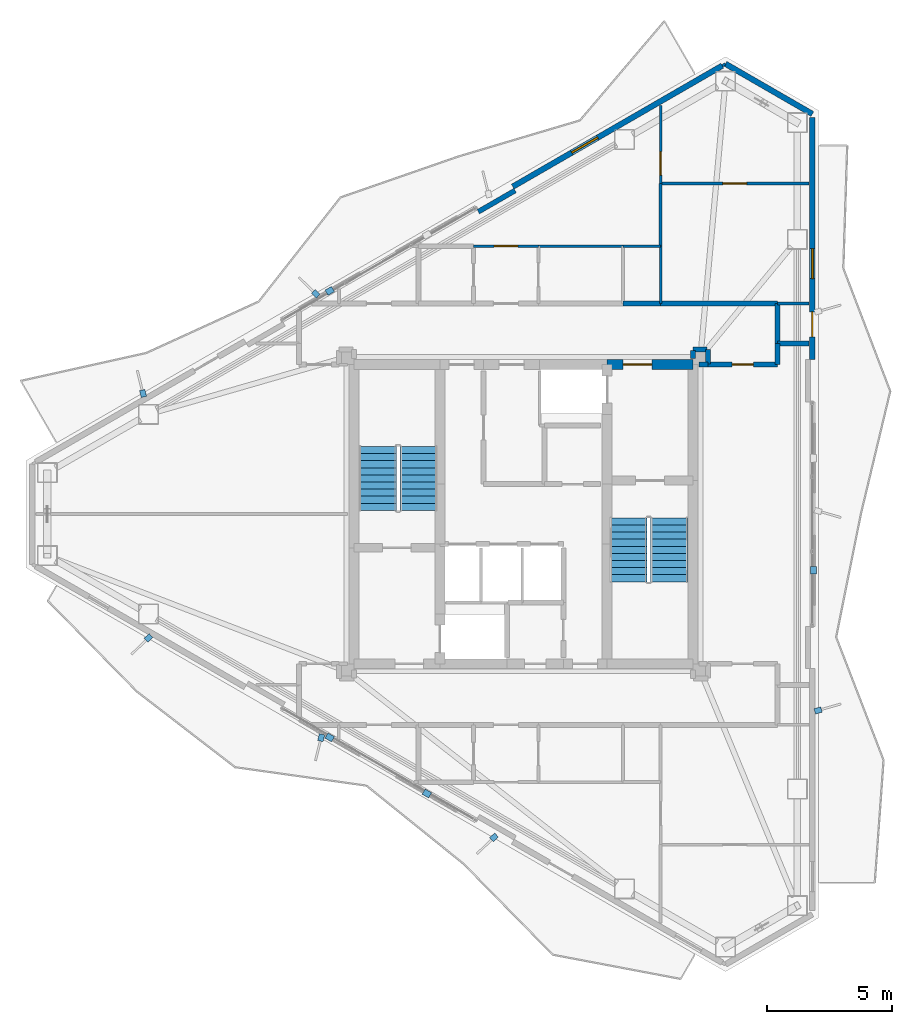
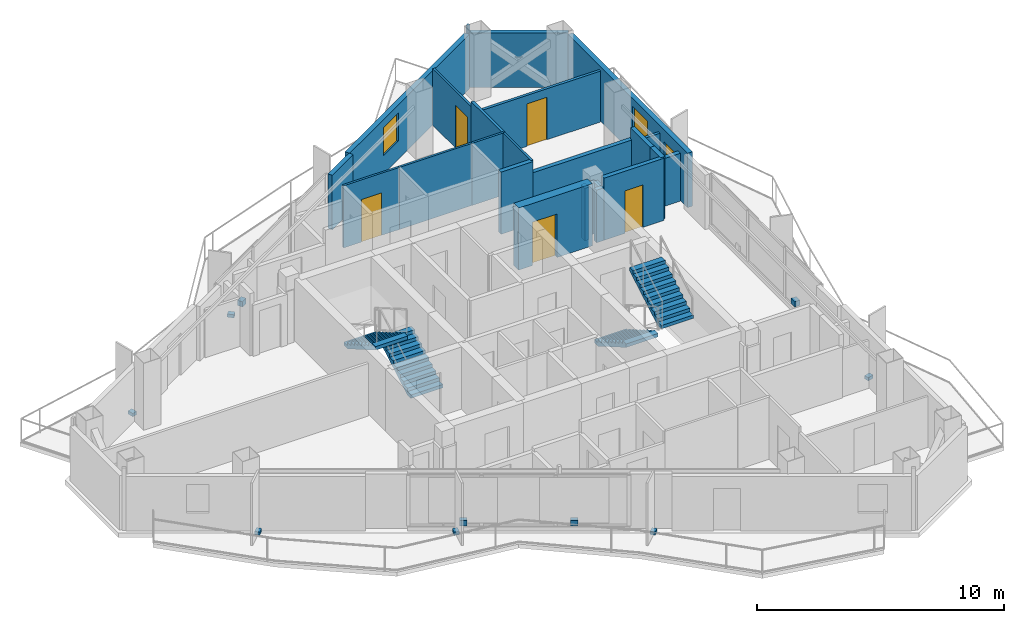
# One storey, part 19 of 22: 24 walls, 10 discrete accessories, 6 doors, 4 stair flights, 2 windows, 8 openings, 2 elements without a shape of their own.
"""IFC4 building model written with IfcOpenShell, lengths in metres."""

import ifcopenshell
import ifcopenshell.guid

model = None  # the IFC model being written
_history = None  # IfcOwnerHistory: only IFC2X3 demands one
_inside = {}  # id of a spatial element -> (the spatial element, [elements in it])
_under = {}  # id of a project, library or spatial element -> (it, [spatial elements below it])
_declared = {}  # id of a project -> (the project, [libraries it declares])
_typed = {}  # id of a type object -> (the type object, [elements of that type])
_made_of = {}  # id of a material, layer set ... -> (it, [elements and type objects made of it])


def new_model(schema):
    """Start an empty IFC model of exactly this schema.

    Asked for "IFC4X3", IfcOpenShell would pick the latest addendum, in which some entities
    have other attributes; the version numbers below select the first issue.
    IFC2X3 requires an IfcOwnerHistory on every rooted entity: one is made here for all.
    """
    global model, _history
    if schema == "IFC4X3":
        model = ifcopenshell.file(schema_version=(4, 3, 0, 0))
    else:
        model = ifcopenshell.file(schema=schema)
    _inside.clear()
    _under.clear()
    _declared.clear()
    _typed.clear()
    _made_of.clear()
    _history = None
    if model.schema == "IFC2X3":
        org = make("IfcOrganization", Name="unknown")
        user = make(
            "IfcPersonAndOrganization",
            ThePerson=make("IfcPerson", FamilyName="unknown"),
            TheOrganization=org,
        )
        app = make(
            "IfcApplication",
            ApplicationDeveloper=org,
            Version="unknown",
            ApplicationFullName="unknown",
            ApplicationIdentifier="unknown",
        )
        _history = make(
            "IfcOwnerHistory",
            OwningUser=user,
            OwningApplication=app,
            ChangeAction="ADDED",
            CreationDate=0,
        )
    return model


def make(cls, **values):
    """One entity of the class cls with the attributes given. An attribute that is None is left unset."""
    return model.create_entity(
        cls, **{name: value for name, value in values.items() if value is not None}
    )


def rooted(cls, **values):
    """An entity with a GlobalId (a new one), such as an element, a storey or a relation."""
    return make(cls, GlobalId=ifcopenshell.guid.new(), OwnerHistory=_history, **values)


def si_unit(unit_type, name, prefix=None):
    """IfcSIUnit, for example si_unit("LENGTHUNIT", "METRE", prefix="MILLI")."""
    return make("IfcSIUnit", UnitType=unit_type, Prefix=prefix, Name=name)


def assignment(units):
    """IfcUnitAssignment: the units of a project."""
    return None if units is None else make("IfcUnitAssignment", Units=units)


def point(xyz):
    """IfcCartesianPoint."""
    return None if xyz is None else make("IfcCartesianPoint", Coordinates=xyz)


def direction(xyz):
    """IfcDirection."""
    return None if xyz is None else make("IfcDirection", DirectionRatios=xyz)


def frame(location, z_axis=None, x_axis=None):
    """IfcAxis2Placement3D, a coordinate frame: its origin and axes. An axis left out is left unset."""
    return make(
        "IfcAxis2Placement3D",
        Location=point(location),
        Axis=direction(z_axis),
        RefDirection=direction(x_axis),
    )


def frame_2d(location, x_axis=None):
    """IfcAxis2Placement2D, a coordinate frame in the plane: its origin and x axis."""
    return make(
        "IfcAxis2Placement2D", Location=point(location), RefDirection=direction(x_axis)
    )


def origin():
    """The frame at (0, 0, 0) with its axes left unset."""
    return frame((0.0, 0.0, 0.0))


def origin_2d():
    """The frame at (0, 0) in the plane with its x axis left unset."""
    return frame_2d((0.0, 0.0))


def place(relative_to, where):
    """IfcLocalPlacement: puts the frame where relative to a parent placement (None: the world)."""
    return make(
        "IfcLocalPlacement", PlacementRelTo=relative_to, RelativePlacement=where
    )


def context(
    kind, dimensions, precision=None, world=None, true_north=None, identifier=None
):
    """IfcGeometricRepresentationContext, for example the 3D "Model" context."""
    return make(
        "IfcGeometricRepresentationContext",
        ContextIdentifier=identifier,
        ContextType=kind,
        CoordinateSpaceDimension=dimensions,
        Precision=precision,
        WorldCoordinateSystem=world,
        TrueNorth=true_north,
    )


def subcontext(parent, identifier, kind, view, scale=None):
    """IfcGeometricRepresentationSubContext, for example "Body" below "Model"."""
    return make(
        "IfcGeometricRepresentationSubContext",
        ContextIdentifier=identifier,
        ContextType=kind,
        ParentContext=parent,
        TargetScale=scale,
        TargetView=view,
    )


def project(units=None, contexts=None):
    """IfcProject with its units and contexts."""
    return rooted(
        "IfcProject",
        Name="project",
        RepresentationContexts=contexts,
        UnitsInContext=assignment(units),
    )


def spatial(cls, under=None, at=None, **own):
    """A site, building, storey or space (cls), placed at a placement, below another one or the project."""
    s = rooted(cls, ObjectPlacement=at, **own)
    if under is not None:
        _under.setdefault(under.id(), (under, []))[1].append(s)
    return s


def polyline(points):
    """IfcPolyline through the points."""
    return make("IfcPolyline", Points=[point(p) for p in points])


def profile(cls, at=None, kind="AREA", **sizes):
    """A parametric profile (cls). Its sizes go by their IFC names, for example OverallWidth=200.0."""
    return make(cls, ProfileType=kind, Position=at, **sizes)


def rectangle(**sizes):
    """IfcRectangleProfileDef."""
    return profile("IfcRectangleProfileDef", **sizes)


def outline(outer, holes=None, kind="AREA"):
    """IfcArbitraryClosedProfileDef: a profile drawn as a closed curve; with holes, ...WithVoids."""
    if holes is None:
        return make("IfcArbitraryClosedProfileDef", ProfileType=kind, OuterCurve=outer)
    return make(
        "IfcArbitraryProfileDefWithVoids",
        ProfileType=kind,
        OuterCurve=outer,
        InnerCurves=holes,
    )


def extrude(swept, where, along, depth):
    """IfcExtrudedAreaSolid: the profile swept, set in the frame where, extruded along a direction by depth."""
    return make(
        "IfcExtrudedAreaSolid",
        SweptArea=swept,
        Position=where,
        ExtrudedDirection=direction(along),
        Depth=depth,
    )


def shape(context_of_items, identifier, shape_type, items):
    """IfcShapeRepresentation: the items that make up one representation, for example the "Body"."""
    return make(
        "IfcShapeRepresentation",
        ContextOfItems=context_of_items,
        RepresentationIdentifier=identifier,
        RepresentationType=shape_type,
        Items=items,
    )


def material(Name=None, Category=None):
    """IfcMaterial."""
    return make("IfcMaterial", Name=Name, Category=Category)


def layer(
    of_material, thickness, ventilated=None, Name=None, Category=None, Priority=None
):
    """IfcMaterialLayer: one layer of a wall or slab, of a material (None: an air gap)."""
    return make(
        "IfcMaterialLayer",
        Material=of_material,
        LayerThickness=thickness,
        IsVentilated=ventilated,
        Name=Name,
        Category=Category,
        Priority=Priority,
    )


def layer_set(layers, Name=None):
    """IfcMaterialLayerSet."""
    return make("IfcMaterialLayerSet", MaterialLayers=layers, LayerSetName=Name)


def made_of(thing, what):
    """Note that an element or type object is made of a material, layer set ...; save() writes the relation."""
    if what is not None:
        _made_of.setdefault(what.id(), (what, []))[1].append(thing)
    return thing


def type_object(cls, material=None, **own):
    """A type object (cls), such as IfcWallType, which elements share."""
    return made_of(rooted(cls, **own), material)


def element(
    cls,
    number,
    at=None,
    inside=None,
    cuts=None,
    type_object=None,
    material=None,
    context=None,
    identifier="Body",
    shape_type=None,
    held_by="IfcProductDefinitionShape",
    body=None,
    shapes=None,
    **own,
):
    """One element of the class cls, such as IfcWall. Its Tag is "e" and its number.

    at: its placement. inside: the storey or other place that contains it. cuts: it is an
    opening in that element (IfcRelVoidsElement). A single representation is given by context,
    identifier, shape_type and body (its items); several are given by shapes. held_by: the class
    of the entity that holds the representations. save() writes the other relations.
    """
    e = rooted(cls, Tag="e%d" % number, ObjectPlacement=at, **own)
    if body is not None:
        shapes = [shape(context, identifier, shape_type, body)]
    if shapes is not None:
        e.Representation = make(held_by, Representations=shapes)
    if inside is not None:
        _inside.setdefault(inside.id(), (inside, []))[1].append(e)
    if cuts is not None:
        rooted(
            "IfcRelVoidsElement", RelatingBuildingElement=cuts, RelatedOpeningElement=e
        )
    if type_object is not None:
        _typed.setdefault(type_object.id(), (type_object, []))[1].append(e)
    return made_of(e, material)


def fill(opening, filler):
    """IfcRelFillsElement: the door or window that sits in an opening."""
    return rooted(
        "IfcRelFillsElement",
        RelatingOpeningElement=opening,
        RelatedBuildingElement=filler,
    )


def aggregate(whole, parts):
    """IfcRelAggregates: a whole, such as a stair, and the parts it consists of."""
    return rooted("IfcRelAggregates", RelatingObject=whole, RelatedObjects=parts)


def save(model, path):
    """Write the relations noted so far, then the file.

    IfcRelAggregates (storeys below a building ...), IfcRelContainedInSpatialStructure (elements
    in a storey), IfcRelDefinesByType, IfcRelAssociatesMaterial and IfcRelDeclares: one each for
    every whole, place, type object, material and project.
    """
    for whole, parts in _under.values():
        aggregate(whole, parts)
    for where, things in _inside.values():
        rooted(
            "IfcRelContainedInSpatialStructure",
            RelatedElements=things,
            RelatingStructure=where,
        )
    for kind, things in _typed.values():
        rooted("IfcRelDefinesByType", RelatedObjects=things, RelatingType=kind)
    for what, things in _made_of.values():
        rooted("IfcRelAssociatesMaterial", RelatedObjects=things, RelatingMaterial=what)
    for by, libraries in _declared.values():
        rooted("IfcRelDeclares", RelatingContext=by, RelatedDefinitions=libraries)
    model.write(path)


model = new_model("IFC4")

# Units and contexts
model_context = context("Model", 3, precision=1e-05, world=origin(), true_north=direction((0.0, 1.0)))
body_context = subcontext(model_context, "Body", "Model", "MODEL_VIEW")
ifc_project = project(units=[si_unit("LENGTHUNIT", "METRE"), si_unit("AREAUNIT", "SQUARE_METRE"), si_unit("VOLUMEUNIT", "CUBIC_METRE"), si_unit("PLANEANGLEUNIT", "RADIAN"), si_unit("MASSUNIT", "GRAM", prefix="KILO")], contexts=[model_context])

# Site, building, storey
site_placement = place(None, origin())
site = spatial("IfcSite", under=ifc_project, at=site_placement, CompositionType="ELEMENT")
building_placement = place(site_placement, origin())
building = spatial("IfcBuilding", under=site, at=building_placement, Name="Mersakhor Tower and Convention Hall", CompositionType="ELEMENT")
storey_placement = place(building_placement, frame((0.0, 0.0, 208.5)))
storey = spatial("IfcBuildingStorey", under=building, at=storey_placement, Name="L58", CompositionType="ELEMENT", Elevation=208.5)

# Wall
ifc_material_1 = material(Name="Precast concrete C40/50", Category="concrete")
ifc_layer_1 = layer(ifc_material_1, 0.22509765625)
ifc_layer_set_1 = layer_set([ifc_layer_1], Name="Precast concrete C40/50")
wall_type_1 = type_object("IfcWallType", Name="WL-EXT-225", PredefinedType="SOLIDWALL", material=ifc_layer_set_1)
wall_1_placement = place(storey_placement, frame((37.10400390625, 44.81005859375, 0.0), z_axis=(0.0, 0.0, 1.0), x_axis=(0.866023907196, -0.500002592159, 0.0)))
element("IfcWall", 1, at=wall_1_placement, inside=storey, type_object=wall_type_1, Name="L58 Chamfer Braced Spandrel Wall C1", PredefinedType="SOLIDWALL", context=body_context, shape_type="SweptSolid", body=[
    extrude(rectangle(XDim=4.0234375, YDim=0.22509765625, at=frame_2d((2.01171875, 0.0))), origin(), (0.0, 0.0, 1.0), 2.68994140625),
])

# Wall, opening, window
wall_2_placement = place(storey_placement, frame((28.57470703125, 39.885498046875, 0.0), z_axis=(0.0, 0.0, 1.0), x_axis=(0.866016233231, 0.500015883528, 0.0)))
wall_2 = element("IfcWall", 2, at=wall_2_placement, inside=storey, type_object=wall_type_1, Name="L58 Exterior Facade Wall F1-B3", PredefinedType="SOLIDWALL", context=body_context, shape_type="SweptSolid", body=[
    extrude(rectangle(XDim=9.698974609375, YDim=0.22509765625, at=frame_2d((4.849609375, 0.0))), origin(), (0.0, 0.0, 1.0), 2.68994140625),
])
opening_1_placement = place(wall_2_placement, frame((2.73388671875, 0.0, 0.89990234375)))
opening_1 = element("IfcOpeningElement", 3, at=opening_1_placement, cuts=wall_2, Name="Opening W-01", PredefinedType="OPENING", context=body_context, shape_type="SweptSolid", body=[
    extrude(rectangle(XDim=1.199951171875, YDim=1.39990234375, at=frame_2d((0.60009765625, 0.699951171875))), frame((0.0, 0.12255859375, 0.0), z_axis=(0.0, -1.0, 0.0), x_axis=(1.0, 0.0, 0.0)), (0.0, 0.0, 1.0), 0.2451171875),
])
ifc_material_2 = material(Name="Dark solar low-E glazed aluminium window", Category="aluminium")
window_type = type_object("IfcWindowType", Name="WN-RES-120x150", PartitioningType="SINGLE_PANEL", PredefinedType="WINDOW", material=ifc_material_2)
window_1_placement = place(opening_1_placement, origin())
window_1 = element("IfcWindow", 4, at=window_1_placement, inside=storey, type_object=window_type, Name="L58 Bedroom Facade Window F1-B3-1", OverallHeight=1.39990234375, OverallWidth=1.199951171875, PartitioningType="SINGLE_PANEL", PredefinedType="WINDOW", context=body_context, shape_type="SweptSolid", body=[
    extrude(rectangle(XDim=1.199951171875, YDim=1.39990234375, at=frame_2d((0.60009765625, 0.699951171875))), frame((0.0, 0.030029296875, 0.0), z_axis=(0.0, -1.0, 0.0), x_axis=(1.0, 0.0, 0.0)), (0.0, 0.0, 1.0), 0.06005859375),
])
fill(opening_1, window_1)

# Wall, openings, door, window
wall_3_placement = place(storey_placement, frame((40.58837890625, 42.6484375, 0.0), z_axis=(0.0, 0.0, 1.0), x_axis=(0.0, -1.0, 0.0)))
wall_3 = element("IfcWall", 5, at=wall_3_placement, inside=storey, type_object=wall_type_1, Name="L58 Exterior Facade Wall F2-B1", PredefinedType="SOLIDWALL", context=body_context, shape_type="SweptSolid", body=[
    extrude(rectangle(XDim=9.698974609375, YDim=0.22509765625, at=frame_2d((4.849609375, 0.0))), origin(), (0.0, 0.0, 1.0), 2.68994140625),
])
opening_2_placement = place(wall_3_placement, frame((7.783935546875, 0.0, 0.0)))
opening_2 = element("IfcOpeningElement", 6, at=opening_2_placement, cuts=wall_3, Name="Opening BD-01", PredefinedType="OPENING", context=body_context, shape_type="SweptSolid", body=[
    extrude(rectangle(XDim=1.0, YDim=2.10009765625, at=frame_2d((0.5, 1.050048828125))), frame((0.0, 0.12255859375, 0.0), z_axis=(0.0, -1.0, 0.0), x_axis=(1.0, 0.0, 0.0)), (0.0, 0.0, 1.0), 0.2451171875),
])
opening_3_placement = place(wall_3_placement, frame((5.251953125, 0.0, 0.89990234375)))
opening_3 = element("IfcOpeningElement", 7, at=opening_3_placement, cuts=wall_3, Name="Opening W-01", PredefinedType="OPENING", context=body_context, shape_type="SweptSolid", body=[
    extrude(rectangle(XDim=1.199951171875, YDim=1.39990234375, at=frame_2d((0.60009765625, 0.699951171875))), frame((0.0, 0.12255859375, 0.0), z_axis=(0.0, -1.0, 0.0), x_axis=(1.0, 0.0, 0.0)), (0.0, 0.0, 1.0), 0.2451171875),
])
ifc_material_3 = material(Name="Thermally broken dark aluminium and safety glass", Category="aluminium")
door_type_1 = type_object("IfcDoorType", Name="DR-BAL-100x210", OperationType="NOTDEFINED", PredefinedType="DOOR", material=ifc_material_3)
door_1_placement = place(opening_2_placement, origin())
door_1 = element("IfcDoor", 8, at=door_1_placement, inside=storey, type_object=door_type_1, Name="L58 Balcony Terrace Door F2-B1", OperationType="SINGLE_SWING_LEFT", OverallHeight=2.10009765625, OverallWidth=1.0, PredefinedType="DOOR", context=body_context, shape_type="SweptSolid", body=[
    extrude(rectangle(XDim=1.0, YDim=2.10009765625, at=frame_2d((0.5, 1.050048828125))), frame((0.0, 0.02490234375, 0.0), z_axis=(0.0, -1.0, 0.0), x_axis=(1.0, 0.0, 0.0)), (0.0, 0.0, 1.0), 0.050048828125),
])
fill(opening_2, door_1)
window_2_placement = place(opening_3_placement, origin())
window_2 = element("IfcWindow", 9, at=window_2_placement, inside=storey, type_object=window_type, Name="L58 Bedroom Facade Window F2-B1-1", OverallHeight=1.39990234375, OverallWidth=1.199951171875, PartitioningType="SINGLE_PANEL", PredefinedType="WINDOW", context=body_context, shape_type="SweptSolid", body=[
    extrude(rectangle(XDim=1.199951171875, YDim=1.39990234375, at=frame_2d((0.60009765625, 0.699951171875))), frame((0.0, 0.030029296875, 0.0), z_axis=(0.0, -1.0, 0.0), x_axis=(1.0, 0.0, 0.0)), (0.0, 0.0, 1.0), 0.06005859375),
])
fill(opening_3, window_2)

# Wall
ifc_material_4 = material(Name="Precast concrete C40/50", Category="concrete")
ifc_layer_2 = layer(ifc_material_4, 0.199951171875)
ifc_layer_set_2 = layer_set([ifc_layer_2], Name="Precast concrete C40/50")
wall_type_2 = type_object("IfcWallType", Name="WL-PAR-200", PredefinedType="PARAPET", material=ifc_layer_set_2)
wall_4_placement = place(storey_placement, frame((27.1923828125, 38.879638671875, 0.0), z_axis=(0.0, 0.0, 1.0), x_axis=(0.866025371046, 0.500000056704, 0.0)))
element("IfcWall", 10, at=wall_4_placement, inside=storey, type_object=wall_type_2, Name="L58 Column Pier Cladding Wall F1-C2", PredefinedType="PARAPET", context=body_context, shape_type="SweptSolid", body=[
    extrude(rectangle(XDim=1.7001953125, YDim=0.199951171875, at=frame_2d((0.85009765625, 0.0))), origin(), (0.0, 0.0, 1.0), 2.68994140625),
])

# Wall, opening, door
ifc_material_5 = material(Name="Lightweight gypsum partition", Category="other")
ifc_layer_3 = layer(ifc_material_5, 0.10009765625)
ifc_layer_set_3 = layer_set([ifc_layer_3], Name="Lightweight gypsum partition")
wall_type_3 = type_object("IfcWallType", Name="WL-PRT-100", PredefinedType="PARTITIONING", material=ifc_layer_set_3)
wall_5_placement = place(storey_placement, frame((27.0, 37.5, 0.0), z_axis=(0.0, 0.0, 1.0), x_axis=(1.0, 0.0, 0.0)))
wall_5 = element("IfcWall", 11, at=wall_5_placement, inside=storey, type_object=wall_type_3, Name="L58 Interior Partition Wall P-054", PredefinedType="PARTITIONING", context=body_context, shape_type="SweptSolid", body=[
    extrude(rectangle(XDim=2.60009765625, YDim=0.10009765625, at=frame_2d((1.300048828125, 0.0))), origin(), (0.0, 0.0, 1.0), 3.070068359375),
])
opening_4_placement = place(wall_5_placement, frame((0.824951171875, 0.0, 0.0)))
opening_4 = element("IfcOpeningElement", 12, at=opening_4_placement, cuts=wall_5, Name="Opening RD-01", PredefinedType="OPENING", context=body_context, shape_type="SweptSolid", body=[
    extrude(rectangle(XDim=0.949951171875, YDim=2.10009765625, at=frame_2d((0.47509765625, 1.050048828125))), frame((0.0, 0.06005859375, 0.0), z_axis=(0.0, -1.0, 0.0), x_axis=(1.0, 0.0, 0.0)), (0.0, 0.0, 1.0), 0.1201171875),
])
ifc_material_6 = material(Name="Solid-core hardwood leaf in painted steel frame", Category="steel")
door_type_2 = type_object("IfcDoorType", Name="DR-INT-RM-095x210", OperationType="NOTDEFINED", PredefinedType="DOOR", material=ifc_material_6)
door_2_placement = place(opening_4_placement, origin())
door_2 = element("IfcDoor", 13, at=door_2_placement, inside=storey, type_object=door_type_2, Name="L58 L58 Flat N2 Apartment Hall to L58 Flat N2 Bedroom 1 Door", OperationType="SINGLE_SWING_LEFT", OverallHeight=2.10009765625, OverallWidth=0.949951171875, PredefinedType="DOOR", context=body_context, shape_type="SweptSolid", body=[
    extrude(rectangle(XDim=0.949951171875, YDim=2.10009765625, at=frame_2d((0.47509765625, 1.050048828125))), frame((0.0, 0.02490234375, 0.0), z_axis=(0.0, -1.0, 0.0), x_axis=(1.0, 0.0, 0.0)), (0.0, 0.0, 1.0), 0.050048828125),
])
fill(opening_4, door_2)

# Wall
wall_6_placement = place(storey_placement, frame((29.60009765625, 37.5, 0.0), z_axis=(0.0, 0.0, 1.0), x_axis=(1.0, 0.0, 0.0)))
element("IfcWall", 14, at=wall_6_placement, inside=storey, type_object=wall_type_3, Name="L58 Interior Partition Wall P-062", PredefinedType="PARTITIONING", context=body_context, shape_type="SweptSolid", body=[
    extrude(rectangle(XDim=3.39990234375, YDim=0.10009765625, at=frame_2d((1.699951171875, 0.0))), origin(), (0.0, 0.0, 1.0), 3.070068359375),
])

# Wall, opening, door
wall_7_placement = place(storey_placement, frame((34.5, 43.14892578125, 0.0), z_axis=(0.0, 0.0, 1.0), x_axis=(0.0, -1.0, 0.0)))
wall_7 = element("IfcWall", 15, at=wall_7_placement, inside=storey, type_object=wall_type_3, Name="L58 Interior Partition Wall P-082", PredefinedType="PARTITIONING", context=body_context, shape_type="SweptSolid", body=[
    extrude(rectangle(XDim=3.138916015625, YDim=0.10009765625, at=frame_2d((1.5693359375, 0.0))), origin(), (0.0, 0.0, 1.0), 2.794677734375),
])
opening_5_placement = place(wall_7_placement, frame((1.855224609375, 0.0, 0.0)))
opening_5 = element("IfcOpeningElement", 16, at=opening_5_placement, cuts=wall_7, Name="Opening RD-01", PredefinedType="OPENING", context=body_context, shape_type="SweptSolid", body=[
    extrude(rectangle(XDim=0.949951171875, YDim=2.10009765625, at=frame_2d((0.47509765625, 1.050048828125))), frame((0.0, 0.06005859375, 0.0), z_axis=(0.0, -1.0, 0.0), x_axis=(1.0, 0.0, 0.0)), (0.0, 0.0, 1.0), 0.1201171875),
])
door_3_placement = place(opening_5_placement, origin())
door_3 = element("IfcDoor", 17, at=door_3_placement, inside=storey, type_object=door_type_2, Name="L58 L58 Flat N2 Bedroom 1 to L58 Flat N2 Study Room Door", OperationType="SINGLE_SWING_LEFT", OverallHeight=2.10009765625, OverallWidth=0.949951171875, PredefinedType="DOOR", context=body_context, shape_type="SweptSolid", body=[
    extrude(rectangle(XDim=0.949951171875, YDim=2.10009765625, at=frame_2d((0.47509765625, 1.050048828125))), frame((0.0, 0.02490234375, 0.0), z_axis=(0.0, -1.0, 0.0), x_axis=(1.0, 0.0, 0.0)), (0.0, 0.0, 1.0), 0.050048828125),
])
fill(opening_5, door_3)

# Walls
wall_8_placement = place(storey_placement, frame((34.5, 37.5, 0.0), z_axis=(0.0, 0.0, 1.0), x_axis=(-1.0, 0.0, 0.0)))
element("IfcWall", 18, at=wall_8_placement, inside=storey, type_object=wall_type_3, Name="L58 Interior Partition Wall P-084", PredefinedType="PARTITIONING", context=body_context, shape_type="SweptSolid", body=[
    extrude(rectangle(XDim=1.5, YDim=0.10009765625, at=frame_2d((0.75, 0.0))), origin(), (0.0, 0.0, 1.0), 3.070068359375),
])
wall_9_placement = place(storey_placement, frame((34.5, 35.199951171875, 0.0), z_axis=(0.0, 0.0, 1.0), x_axis=(0.0, 1.0, 0.0)))
element("IfcWall", 19, at=wall_9_placement, inside=storey, type_object=wall_type_3, Name="L58 Interior Partition Wall P-086", PredefinedType="PARTITIONING", context=body_context, shape_type="SweptSolid", body=[
    extrude(rectangle(XDim=2.300048828125, YDim=0.10009765625, at=frame_2d((1.14990234375, 0.0))), origin(), (0.0, 0.0, 1.0), 3.070068359375),
])
wall_10_placement = place(storey_placement, frame((36.97412109375, 44.735107421875, 0.0), z_axis=(0.0, 0.0, 1.0), x_axis=(0.866131372301, 0.499816412211, 0.0)))
element("IfcWall", 20, at=wall_10_placement, inside=storey, type_object=wall_type_3, Name="L58 Interior Partition Wall P-088", PredefinedType="PARTITIONING", context=body_context, shape_type="SweptSolid", body=[
    extrude(rectangle(XDim=0.14990234375, YDim=0.10009765625, at=frame_2d((0.074951171875, 0.0))), origin(), (0.0, 0.0, 1.0), 3.070068359375),
])
ifc_material_7 = material(Name="Gypsum board acoustic partition", Category="other")
ifc_layer_4 = layer(ifc_material_7, 0.125)
ifc_layer_set_4 = layer_set([ifc_layer_4], Name="Gypsum board acoustic partition")
wall_type_4 = type_object("IfcWallType", Name="WL-PRT-125", PredefinedType="PARTITIONING", material=ifc_layer_set_4)
wall_11_placement = place(storey_placement, frame((34.5, 40.010009765625, 0.0), z_axis=(0.0, 0.0, 1.0), x_axis=(0.0, -1.0, 0.0)))
element("IfcWall", 21, at=wall_11_placement, inside=storey, type_object=wall_type_4, Name="L58 Interior Partition Wall P-083", PredefinedType="PARTITIONING", context=body_context, shape_type="SweptSolid", body=[
    extrude(rectangle(XDim=2.510009765625, YDim=0.125, at=frame_2d((1.2548828125, 0.0))), origin(), (0.0, 0.0, 1.0), 3.070068359375),
])
wall_12_placement = place(storey_placement, frame((40.451904296875, 35.199951171875, 0.0), z_axis=(0.0, 0.0, 1.0), x_axis=(-1.0, 0.0, 0.0)))
element("IfcWall", 22, at=wall_12_placement, inside=storey, type_object=wall_type_4, Name="L58 Interior Partition Wall P-085", PredefinedType="PARTITIONING", context=body_context, shape_type="SweptSolid", body=[
    extrude(rectangle(XDim=1.251953125, YDim=0.125, at=frame_2d((0.6259765625, 0.0))), origin(), (0.0, 0.0, 1.0), 2.364990234375),
])

# Wall, opening, door
wall_13_placement = place(storey_placement, frame((34.5, 40.010009765625, 0.0), z_axis=(0.0, 0.0, 1.0), x_axis=(1.0, 0.0, 0.0)))
wall_13 = element("IfcWall", 23, at=wall_13_placement, inside=storey, type_object=wall_type_4, Name="L58 Interior Partition Wall P-087", PredefinedType="PARTITIONING", context=body_context, shape_type="SweptSolid", body=[
    extrude(rectangle(XDim=5.951904296875, YDim=0.125, at=frame_2d((2.97607421875, 0.0))), origin(), (0.0, 0.0, 1.0), 2.518310546875),
])
opening_6_placement = place(wall_13_placement, frame((2.5009765625, 0.0, 0.0)))
opening_6 = element("IfcOpeningElement", 24, at=opening_6_placement, cuts=wall_13, Name="Opening RD-01", PredefinedType="OPENING", context=body_context, shape_type="SweptSolid", body=[
    extrude(rectangle(XDim=0.949951171875, YDim=2.10009765625, at=frame_2d((0.47509765625, 1.050048828125))), frame((0.0, 0.072509765625, 0.0), z_axis=(0.0, -1.0, 0.0), x_axis=(1.0, 0.0, 0.0)), (0.0, 0.0, 1.0), 0.14501953125),
])
door_4_placement = place(opening_6_placement, origin())
door_4 = element("IfcDoor", 25, at=door_4_placement, inside=storey, type_object=door_type_2, Name="L58 L58 Flat N2 Bedroom 2 to L58 Flat N2 Study Room Door", OperationType="SINGLE_SWING_RIGHT", OverallHeight=2.10009765625, OverallWidth=0.949951171875, PredefinedType="DOOR", context=body_context, shape_type="SweptSolid", body=[
    extrude(rectangle(XDim=0.949951171875, YDim=2.10009765625, at=frame_2d((0.47509765625, 1.050048828125))), frame((0.0, 0.02490234375, 0.0), z_axis=(0.0, -1.0, 0.0), x_axis=(1.0, 0.0, 0.0)), (0.0, 0.0, 1.0), 0.050048828125),
])
fill(opening_6, door_4)

# Walls
ifc_material_8 = material(Name="Acoustic concrete blockwork and gypsum board", Category="masonry")
ifc_layer_5 = layer(ifc_material_8, 0.199951171875)
ifc_layer_set_5 = layer_set([ifc_layer_5], Name="Acoustic concrete blockwork and gypsum board")
wall_type_5 = type_object("IfcWallType", Name="WL-PRT-200", PredefinedType="PARTITIONING", material=ifc_layer_set_5)
wall_14_placement = place(storey_placement, frame((39.199951171875, 35.199951171875, 0.0), z_axis=(0.0, 0.0, 1.0), x_axis=(0.0, -1.0, 0.0)))
element("IfcWall", 26, at=wall_14_placement, inside=storey, type_object=wall_type_5, Name="L58 Interior Partition Wall P-016", PredefinedType="PARTITIONING", context=body_context, shape_type="SweptSolid", body=[
    extrude(rectangle(XDim=1.599853515625, YDim=0.199951171875, at=frame_2d((0.7998046875, 0.0))), origin(), (0.0, 0.0, 1.0), 3.070068359375),
])
wall_15_placement = place(storey_placement, frame((39.199951171875, 33.60009765625, 0.0), z_axis=(0.0, 0.0, 1.0), x_axis=(0.0, -1.0, 0.0)))
element("IfcWall", 27, at=wall_15_placement, inside=storey, type_object=wall_type_5, Name="L58 Interior Partition Wall P-017", PredefinedType="PARTITIONING", context=body_context, shape_type="SweptSolid", body=[
    extrude(rectangle(XDim=0.85009765625, YDim=0.199951171875, at=frame_2d((0.425048828125, 0.0))), origin(), (0.0, 0.0, 1.0), 3.070068359375),
])

# Wall, opening, door
wall_16_placement = place(storey_placement, frame((39.199951171875, 32.75, 0.0), z_axis=(0.0, 0.0, 1.0), x_axis=(-1.0, 0.0, 0.0)))
wall_16 = element("IfcWall", 28, at=wall_16_placement, inside=storey, type_object=wall_type_5, Name="L58 Interior Partition Wall P-018", PredefinedType="PARTITIONING", context=body_context, shape_type="SweptSolid", body=[
    extrude(rectangle(XDim=2.800048828125, YDim=0.199951171875, at=frame_2d((1.39990234375, 0.0))), origin(), (0.0, 0.0, 1.0), 3.070068359375),
])
opening_7_placement = place(wall_16_placement, frame((0.97509765625, 0.0, 0.0)))
opening_7 = element("IfcOpeningElement", 29, at=opening_7_placement, cuts=wall_16, Name="Opening SVD-01", PredefinedType="OPENING", context=body_context, shape_type="SweptSolid", body=[
    extrude(rectangle(XDim=0.85009765625, YDim=2.10009765625, at=frame_2d((0.425048828125, 1.050048828125))), frame((0.0, 0.10986328125, 0.0), z_axis=(0.0, -1.0, 0.0), x_axis=(1.0, 0.0, 0.0)), (0.0, 0.0, 1.0), 0.219970703125),
])
ifc_material_9 = material(Name="Fire-rated hardwood leaf and painted steel frame", Category="steel")
door_type_3 = type_object("IfcDoorType", Name="DR-INT-SVC-085x210", OperationType="NOTDEFINED", PredefinedType="DOOR", material=ifc_material_9)
door_5_placement = place(opening_7_placement, origin())
door_5 = element("IfcDoor", 30, at=door_5_placement, inside=storey, type_object=door_type_3, Name="L58 Residential North Gallery Corridor to L58 East Wing Household Store Door", OperationType="SINGLE_SWING_RIGHT", OverallHeight=2.10009765625, OverallWidth=0.85009765625, PredefinedType="DOOR", context=body_context, shape_type="SweptSolid", body=[
    extrude(rectangle(XDim=0.85009765625, YDim=2.10009765625, at=frame_2d((0.425048828125, 1.050048828125))), frame((0.0, 0.02490234375, 0.0), z_axis=(0.0, -1.0, 0.0), x_axis=(1.0, 0.0, 0.0)), (0.0, 0.0, 1.0), 0.050048828125),
])
fill(opening_7, door_5)

# Walls
for number, where, z_axis, x_axis, name in (
    (31, (36.39990234375, 32.780029296875, 0.0), (0.0, 0.0, 1.0), (0.0, 1.0, 0.0), "L58 Interior Partition Wall P-019"),
    (32, (36.3701171875, 33.35009765625, 0.0), (0.0, 0.0, 1.0), (-1.0, 0.0, 0.0), "L58 Interior Partition Wall P-020"),
):
    element("IfcWall", number, at=place(storey_placement, frame(where, z_axis=z_axis, x_axis=x_axis)), inside=storey, type_object=wall_type_5, Name=name, PredefinedType="PARTITIONING", context=body_context, shape_type="SweptSolid", body=[
        extrude(rectangle(XDim=0.570068359375, YDim=0.199951171875, at=frame_2d((0.28515625, 0.0))), origin(), (0.0, 0.0, 1.0), 2.518310546875),
    ])
wall_17_placement = place(storey_placement, frame((35.800048828125, 33.320068359375, 0.0), z_axis=(0.0, 0.0, 1.0), x_axis=(0.0, -1.0, 0.0)))
element("IfcWall", 33, at=wall_17_placement, inside=storey, type_object=wall_type_5, Name="L58 Interior Partition Wall P-021", PredefinedType="PARTITIONING", context=body_context, shape_type="SweptSolid", body=[
    extrude(rectangle(XDim=0.320068359375, YDim=0.199951171875, at=frame_2d((0.16015625, 0.0))), origin(), (0.0, 0.0, 1.0), 2.594970703125),
])
wall_18_placement = place(storey_placement, frame((33.0, 35.199951171875, 0.0), z_axis=(0.0, 0.0, 1.0), x_axis=(1.0, 0.0, 0.0)))
element("IfcWall", 34, at=wall_18_placement, inside=storey, type_object=wall_type_5, Name="L58 Interior Partition Wall P-033", PredefinedType="PARTITIONING", context=body_context, shape_type="SweptSolid", body=[
    extrude(rectangle(XDim=1.5, YDim=0.199951171875, at=frame_2d((0.75, 0.0))), origin(), (0.0, 0.0, 1.0), 3.070068359375),
])
wall_19_placement = place(storey_placement, frame((34.5, 35.199951171875, 0.0), z_axis=(0.0, 0.0, 1.0), x_axis=(1.0, 0.0, 0.0)))
element("IfcWall", 35, at=wall_19_placement, inside=storey, type_object=wall_type_5, Name="L58 Interior Partition Wall P-034", PredefinedType="PARTITIONING", context=body_context, shape_type="SweptSolid", body=[
    extrude(rectangle(XDim=4.699951171875, YDim=0.199951171875, at=frame_2d((2.35009765625, 0.0))), origin(), (0.0, 0.0, 1.0), 2.518310546875),
])
wall_20_placement = place(storey_placement, frame((36.050048828125, 32.75, 0.0), z_axis=(0.0, 0.0, 1.0), x_axis=(1.0, 0.0, 0.0)))
element("IfcWall", 36, at=wall_20_placement, inside=storey, type_object=wall_type_5, Name="L58 Interior Partition Wall P-077", PredefinedType="PARTITIONING", context=body_context, shape_type="SweptSolid", body=[
    extrude(rectangle(XDim=0.349853515625, YDim=0.199951171875, at=frame_2d((0.1748046875, 0.0))), origin(), (0.0, 0.0, 1.0), 2.594970703125),
])
wall_21_placement = place(storey_placement, frame((39.199951171875, 33.60009765625, 0.0), z_axis=(0.0, 0.0, 1.0), x_axis=(1.0, 0.0, 0.0)))
element("IfcWall", 37, at=wall_21_placement, inside=storey, type_object=wall_type_5, Name="L58 Interior Partition Wall P-078", PredefinedType="PARTITIONING", context=body_context, shape_type="SweptSolid", body=[
    extrude(rectangle(XDim=1.251953125, YDim=0.199951171875, at=frame_2d((0.6259765625, 0.0))), origin(), (0.0, 0.0, 1.0), 2.364990234375),
])

# Wall, opening, door
ifc_material_10 = material(Name="Concrete C60/75", Category="concrete")
ifc_layer_6 = layer(ifc_material_10, 0.39990234375)
ifc_layer_set_6 = layer_set([ifc_layer_6], Name="Concrete C60/75")
wall_type_6 = type_object("IfcWallType", Name="WL-SHR-400", PredefinedType="SHEAR", material=ifc_layer_set_6)
wall_22_placement = place(storey_placement, frame((32.35009765625, 32.75, 0.0), z_axis=(0.0, 0.0, 1.0), x_axis=(1.0, 0.0, 0.0)))
wall_22 = element("IfcWall", 38, at=wall_22_placement, inside=storey, type_object=wall_type_6, Name="L58 Core Wall CW-N4", PredefinedType="SHEAR", context=body_context, shape_type="SweptSolid", body=[
    extrude(rectangle(XDim=3.449951171875, YDim=0.39990234375, at=frame_2d((1.72509765625, 0.0))), origin(), (0.0, 0.0, 1.0), 3.070068359375),
])
opening_8_placement = place(wall_22_placement, frame((0.64990234375, 0.0, 0.0)))
opening_8 = element("IfcOpeningElement", 39, at=opening_8_placement, cuts=wall_22, Name="Opening SD-01", PredefinedType="OPENING", context=body_context, shape_type="SweptSolid", body=[
    extrude(rectangle(XDim=1.14990234375, YDim=2.14990234375, at=frame_2d((0.574951171875, 1.074951171875))), frame((0.0, 0.2099609375, 0.0), z_axis=(0.0, -1.0, 0.0), x_axis=(1.0, 0.0, 0.0)), (0.0, 0.0, 1.0), 0.419921875),
])
ifc_material_11 = material(Name="Fire-rated hardwood leaf and painted steel frame", Category="steel")
door_type_4 = type_object("IfcDoorType", Name="DR-INT-STAIR-115x215", OperationType="NOTDEFINED", PredefinedType="DOOR", material=ifc_material_11)
door_6_placement = place(opening_8_placement, origin())
door_6 = element("IfcDoor", 40, at=door_6_placement, inside=storey, type_object=door_type_4, Name="L58 Firefighting Lobby East Fire Door", OperationType="SINGLE_SWING_RIGHT", OverallHeight=2.14990234375, OverallWidth=1.14990234375, PredefinedType="DOOR", context=body_context, shape_type="SweptSolid", body=[
    extrude(rectangle(XDim=1.14990234375, YDim=2.14990234375, at=frame_2d((0.574951171875, 1.074951171875))), frame((0.0, 0.02490234375, 0.0), z_axis=(0.0, -1.0, 0.0), x_axis=(1.0, 0.0, 0.0)), (0.0, 0.0, 1.0), 0.050048828125),
])
fill(opening_8, door_6)

# Stair, stair flights
ifc_material_12 = material(Name="Concrete C45/55", Category="concrete")
stair_type = type_object("IfcStairType", Name="ST-TWR-20R", PredefinedType="HALF_TURN_STAIR", material=ifc_material_12)
stair_1_placement = place(storey_placement, origin())
stair_1 = element("IfcStair", 41, at=stair_1_placement, inside=storey, type_object=stair_type, Name="L58 Tower Protected Exit Stair ST-1", PredefinedType="HALF_TURN_STAIR")
ifc_material_13 = material(Name="Concrete C45/55", Category="concrete")
stair_flight_type = type_object("IfcStairFlightType", Name="SFL-TWR-20R", PredefinedType="STRAIGHT", material=ifc_material_13)
stair_flight_1_placement = place(storey_placement, frame((24.800048828125, 26.89990234375, 0.0), z_axis=(0.0, 0.0, 1.0), x_axis=(0.0, 1.0, 0.0)))
stair_flight_1 = element("IfcStairFlight", 42, at=stair_flight_1_placement, type_object=stair_flight_type, Name="ST-1 flight 1", NumberOfRisers=10, NumberOfTreads=9, PredefinedType="STRAIGHT", RiserHeight=0.165, TreadLength=0.285, context=body_context, shape_type="SweptSolid", body=[
    extrude(outline(polyline([(0.0, 0.0), (0.0, 0.1650390625), (0.284912109375, 0.1650390625), (0.284912109375, 0.330078125), (0.570068359375, 0.330078125), (0.570068359375, 0.4951171875), (0.85498046875, 0.4951171875), (0.85498046875, 0.659912109375), (1.139892578125, 0.659912109375), (1.139892578125, 0.824951171875), (1.425048828125, 0.824951171875), (1.425048828125, 0.989990234375), (1.7099609375, 0.989990234375), (1.7099609375, 1.155029296875), (1.9951171875, 1.155029296875), (1.9951171875, 1.320068359375), (2.280029296875, 1.320068359375), (2.280029296875, 1.485107421875), (2.56494140625, 1.485107421875), (2.56494140625, 1.64990234375), (2.56494140625, 1.311767578125), (0.299072265625, 0.0), (0.0, 0.0)])), frame((0.0, 0.75, 0.0), z_axis=(0.0, -1.0, 0.0), x_axis=(1.0, 0.0, 0.0)), (0.0, 0.0, 1.0), 1.5),
])
stair_flight_2_placement = place(storey_placement, frame((23.14990234375, 29.465087890625, 1.64990234375), z_axis=(0.0, 0.0, 1.0), x_axis=(0.0, -1.0, 0.0)))
stair_flight_2 = element("IfcStairFlight", 43, at=stair_flight_2_placement, type_object=stair_flight_type, Name="ST-1 flight 2", NumberOfRisers=10, NumberOfTreads=9, PredefinedType="STRAIGHT", RiserHeight=0.165, TreadLength=0.285, context=body_context, shape_type="SweptSolid", body=[
    extrude(outline(polyline([(0.0, 0.0), (0.0, 0.1650390625), (0.284912109375, 0.1650390625), (0.284912109375, 0.330078125), (0.570068359375, 0.330078125), (0.570068359375, 0.4951171875), (0.85498046875, 0.4951171875), (0.85498046875, 0.659912109375), (1.139892578125, 0.659912109375), (1.139892578125, 0.824951171875), (1.425048828125, 0.824951171875), (1.425048828125, 0.989990234375), (1.7099609375, 0.989990234375), (1.7099609375, 1.155029296875), (1.9951171875, 1.155029296875), (1.9951171875, 1.320068359375), (2.280029296875, 1.320068359375), (2.280029296875, 1.485107421875), (2.56494140625, 1.485107421875), (2.56494140625, 1.64990234375), (2.56494140625, 1.311767578125), (0.299072265625, 0.0), (0.0, 0.0)])), frame((0.0, 0.75, 0.0), z_axis=(0.0, -1.0, 0.0), x_axis=(1.0, 0.0, 0.0)), (0.0, 0.0, 1.0), 1.5),
])
aggregate(stair_1, [stair_flight_1, stair_flight_2])

stair_2_placement = place(storey_placement, origin())
stair_2 = element("IfcStair", 44, at=stair_2_placement, inside=storey, type_object=stair_type, Name="L58 Tower Protected Exit Stair ST-2", PredefinedType="HALF_TURN_STAIR")
stair_flight_3_placement = place(storey_placement, frame((33.199951171875, 26.60009765625, 0.0), z_axis=(0.0, 0.0, 1.0), x_axis=(0.0, -1.0, 0.0)))
stair_flight_3 = element("IfcStairFlight", 45, at=stair_flight_3_placement, type_object=stair_flight_type, Name="ST-2 flight 1", NumberOfRisers=10, NumberOfTreads=9, PredefinedType="STRAIGHT", RiserHeight=0.165, TreadLength=0.285, context=body_context, shape_type="SweptSolid", body=[
    extrude(outline(polyline([(0.0, 0.0), (0.0, 0.1650390625), (0.284912109375, 0.1650390625), (0.284912109375, 0.330078125), (0.570068359375, 0.330078125), (0.570068359375, 0.4951171875), (0.85498046875, 0.4951171875), (0.85498046875, 0.659912109375), (1.139892578125, 0.659912109375), (1.139892578125, 0.824951171875), (1.425048828125, 0.824951171875), (1.425048828125, 0.989990234375), (1.7099609375, 0.989990234375), (1.7099609375, 1.155029296875), (1.9951171875, 1.155029296875), (1.9951171875, 1.320068359375), (2.280029296875, 1.320068359375), (2.280029296875, 1.485107421875), (2.56494140625, 1.485107421875), (2.56494140625, 1.64990234375), (2.56494140625, 1.311767578125), (0.299072265625, 0.0), (0.0, 0.0)])), frame((0.0, 0.75, 0.0), z_axis=(0.0, -1.0, 0.0), x_axis=(1.0, 0.0, 0.0)), (0.0, 0.0, 1.0), 1.5),
])
stair_flight_4_placement = place(storey_placement, frame((34.85009765625, 24.034912109375, 1.64990234375), z_axis=(0.0, 0.0, 1.0), x_axis=(0.0, 1.0, 0.0)))
stair_flight_4 = element("IfcStairFlight", 46, at=stair_flight_4_placement, type_object=stair_flight_type, Name="ST-2 flight 2", NumberOfRisers=10, NumberOfTreads=9, PredefinedType="STRAIGHT", RiserHeight=0.165, TreadLength=0.285, context=body_context, shape_type="SweptSolid", body=[
    extrude(outline(polyline([(0.0, 0.0), (0.0, 0.1650390625), (0.284912109375, 0.1650390625), (0.284912109375, 0.330078125), (0.570068359375, 0.330078125), (0.570068359375, 0.4951171875), (0.85498046875, 0.4951171875), (0.85498046875, 0.659912109375), (1.139892578125, 0.659912109375), (1.139892578125, 0.824951171875), (1.425048828125, 0.824951171875), (1.425048828125, 0.989990234375), (1.7099609375, 0.989990234375), (1.7099609375, 1.155029296875), (1.9951171875, 1.155029296875), (1.9951171875, 1.320068359375), (2.280029296875, 1.320068359375), (2.280029296875, 1.485107421875), (2.56494140625, 1.485107421875), (2.56494140625, 1.64990234375), (2.56494140625, 1.311767578125), (0.299072265625, 0.0), (0.0, 0.0)])), frame((0.0, 0.75, 0.0), z_axis=(0.0, -1.0, 0.0), x_axis=(1.0, 0.0, 0.0)), (0.0, 0.0, 1.0), 1.5),
])
aggregate(stair_2, [stair_flight_3, stair_flight_4])

# Discrete accessories
ifc_material_14 = material(Name="Galvanised steel bracket", Category="steel")
ifc_layer_7 = layer(ifc_material_14, 0.02001953125)
ifc_layer_set_7 = layer_set([ifc_layer_7], Name="Galvanised steel bracket")
discrete_accessory_type = type_object("IfcDiscreteAccessoryType", Name="ACC-BRK-STL", PredefinedType="BRACKET", material=ifc_layer_set_7)
discrete_accessory_1_placement = place(storey_placement, frame((21.232421875, 35.704345703125, 0.2900390625), z_axis=(0.0, 0.0, 1.0), x_axis=(0.866025403784, 0.5, 0.0)))
element("IfcDiscreteAccessory", 47, at=discrete_accessory_1_placement, inside=storey, type_object=discrete_accessory_type, Name="L58 Solar Screen Outrigger Bracket BRK-1-1", PredefinedType="BRACKET", context=body_context, shape_type="SweptSolid", body=[
    extrude(rectangle(XDim=0.300048828125, YDim=0.239990234375, at=origin_2d()), origin(), (0.0, 0.0, 1.0), 0.260009765625),
])
for number, where, z_axis, x_axis, name in (
    (48, (13.743896484375, 31.588623046875, -0.02001953125), (0.0, 0.0, 1.0), (-0.2419218956, 0.970295726276, 0.0), "L58 Facade Fin Base Cleat Bracket FBRK-1-1"),
    (49, (20.672119140625, 35.588623046875, -0.02001953125), (0.0, 0.0, 1.0), (-0.719339800339, 0.694658370459, 0.0), "L58 Facade Fin Base Cleat Bracket FBRK-1-2"),
):
    element("IfcDiscreteAccessory", number, at=place(storey_placement, frame(where, z_axis=z_axis, x_axis=x_axis)), inside=storey, type_object=discrete_accessory_type, Name=name, PredefinedType="BRACKET", context=body_context, shape_type="SweptSolid", body=[
        extrude(rectangle(XDim=0.280029296875, YDim=0.219970703125, at=origin_2d()), origin(), (0.0, 0.0, 1.0), 0.159912109375),
    ])
discrete_accessory_2_placement = place(storey_placement, frame((40.638427734375, 24.500244140625, 0.2900390625), z_axis=(0.0, 0.0, 1.0), x_axis=(0.0, -1.0, 0.0)))
element("IfcDiscreteAccessory", 50, at=discrete_accessory_2_placement, inside=storey, type_object=discrete_accessory_type, Name="L58 Solar Screen Outrigger Bracket BRK-2-2", PredefinedType="BRACKET", context=body_context, shape_type="SweptSolid", body=[
    extrude(rectangle(XDim=0.300048828125, YDim=0.239990234375, at=origin_2d()), origin(), (0.0, 0.0, 1.0), 0.260009765625),
])
discrete_accessory_3_placement = place(storey_placement, frame((40.818359375, 18.8759765625, -0.02001953125), z_axis=(0.0, 0.0, 1.0), x_axis=(0.961261695938, 0.275637355817, 0.0)))
element("IfcDiscreteAccessory", 51, at=discrete_accessory_3_placement, inside=storey, type_object=discrete_accessory_type, Name="L58 Facade Fin Base Cleat Bracket FBRK-2-3", PredefinedType="BRACKET", context=body_context, shape_type="SweptSolid", body=[
    extrude(rectangle(XDim=0.280029296875, YDim=0.219970703125, at=origin_2d()), origin(), (0.0, 0.0, 1.0), 0.159912109375),
])
for number, where, z_axis, x_axis, name in (
    (52, (25.129150390625, 15.5458984375, 0.2900390625), (0.0, 0.0, 1.0), (-0.866025403784, 0.5, 0.0), "L58 Solar Screen Outrigger Bracket BRK-3-1"),
    (53, (21.232421875, 17.795654296875, 0.2900390625), (0.0, 0.0, 1.0), (-0.866025403784, 0.5, 0.0), "L58 Solar Screen Outrigger Bracket BRK-3-2"),
):
    element("IfcDiscreteAccessory", number, at=place(storey_placement, frame(where, z_axis=z_axis, x_axis=x_axis)), inside=storey, type_object=discrete_accessory_type, Name=name, PredefinedType="BRACKET", context=body_context, shape_type="SweptSolid", body=[
        extrude(rectangle(XDim=0.300048828125, YDim=0.239990234375, at=origin_2d()), origin(), (0.0, 0.0, 1.0), 0.260009765625),
    ])
for number, where, z_axis, x_axis, name in (
    (54, (27.81884765625, 13.785400390625, -0.02001953125), (0.0, 0.0, 1.0), (-0.719339800339, -0.694658370459, 0.0), "L58 Facade Fin Base Cleat Bracket FBRK-3-1"),
    (55, (20.890625, 17.785400390625, -0.02001953125), (0.0, 0.0, 1.0), (-0.2419218956, -0.970295726276, 0.0), "L58 Facade Fin Base Cleat Bracket FBRK-3-2"),
    (56, (13.96240234375, 21.785400390625, -0.02001953125), (0.0, 0.0, 1.0), (-0.719339800339, -0.694658370459, 0.0), "L58 Facade Fin Base Cleat Bracket FBRK-3-3"),
):
    element("IfcDiscreteAccessory", number, at=place(storey_placement, frame(where, z_axis=z_axis, x_axis=x_axis)), inside=storey, type_object=discrete_accessory_type, Name=name, PredefinedType="BRACKET", context=body_context, shape_type="SweptSolid", body=[
        extrude(rectangle(XDim=0.280029296875, YDim=0.219970703125, at=origin_2d()), origin(), (0.0, 0.0, 1.0), 0.159912109375),
    ])

save(model, "model.ifc")
